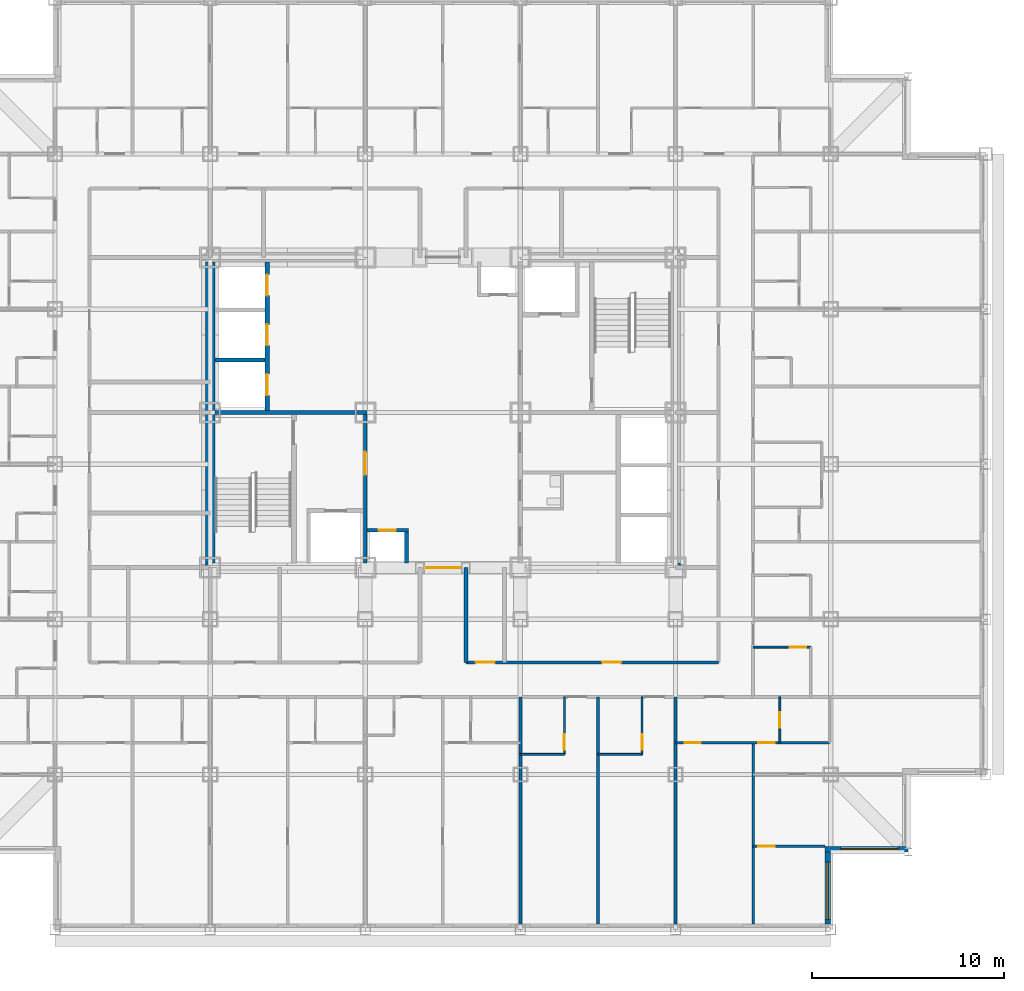
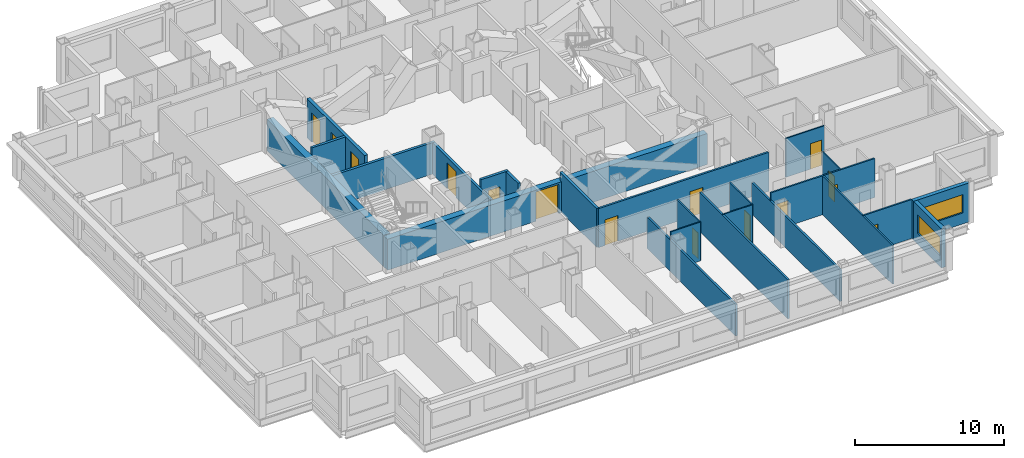
# One storey, part 7 of 14: 24 walls, 15 doors, 2 windows, 17 openings.
"""IFC4 building model written with IfcOpenShell, lengths in metres."""

from ifc_helpers import new_model, si_unit, direction, frame, frame_2d, origin, place, context, subcontext, project, spatial, rectangle, extrude, material, layer, layer_set, type_object, element, fill, save


model = new_model("IFC4")

# Units and contexts
model_context = context("Model", 3, precision=1e-05, world=origin(), true_north=direction((0.0, 1.0)))
body_context = subcontext(model_context, "Body", "Model", "MODEL_VIEW")
ifc_project = project(units=[si_unit("LENGTHUNIT", "METRE"), si_unit("AREAUNIT", "SQUARE_METRE"), si_unit("VOLUMEUNIT", "CUBIC_METRE"), si_unit("PLANEANGLEUNIT", "RADIAN"), si_unit("MASSUNIT", "GRAM", prefix="KILO")], contexts=[model_context])

# Site, building, storey
site_placement = place(None, origin())
site = spatial("IfcSite", under=ifc_project, at=site_placement, CompositionType="ELEMENT")
building_placement = place(site_placement, origin())
building = spatial("IfcBuilding", under=site, at=building_placement, Name="Kopane Lantern Tower", CompositionType="ELEMENT")
storey_placement = place(building_placement, frame((0.0, 0.0, 137.39990234375)))
storey = spatial("IfcBuildingStorey", under=building, at=storey_placement, Name="L35", CompositionType="ELEMENT", Elevation=137.39990234375)

# Wall, openings, doors
ifc_material_1 = material(Name="Gypsum board on steel studs", Category="steel")
ifc_layer_1 = layer(ifc_material_1, 0.1201171875)
ifc_layer_set_1 = layer_set([ifc_layer_1], Name="APARTMENT INTERNAL WALL 120")
wall_type_1 = type_object("IfcWallType", Name="APARTMENT INTERNAL WALL 120", PredefinedType="PARTITIONING", material=ifc_layer_set_1)
wall_1_placement = place(storey_placement, frame((40.5, 15.14990234375, 0.0), z_axis=(0.0, 0.0, 1.0), x_axis=(1.0, 0.0, 0.0)))
wall_1 = element("IfcWall", 1, at=wall_1_placement, inside=storey, type_object=wall_type_1, Name="Apartment Internal Wall 120 L35", PredefinedType="PARTITIONING", context=body_context, shape_type="SweptSolid", body=[
    extrude(rectangle(XDim=8.050048828125, YDim=0.1201171875, at=frame_2d((4.02490234375, 0.0))), origin(), (0.0, 0.0, 1.0), 3.190185546875),
])
opening_1_placement = place(wall_1_placement, frame((0.47509765625, 0.0, 0.0)))
opening_1 = element("IfcOpeningElement", 2, at=opening_1_placement, cuts=wall_1, Name="Opening L35-076", PredefinedType="OPENING", context=body_context, shape_type="SweptSolid", body=[
    extrude(rectangle(XDim=0.85009765625, YDim=2.10009765625, at=frame_2d((0.425048828125, 1.050048828125))), frame((0.0, 0.070068359375, 0.0), z_axis=(0.0, -1.0, 0.0), x_axis=(1.0, 0.0, 0.0)), (0.0, 0.0, 1.0), 0.14013671875),
])
opening_2_placement = place(wall_1_placement, frame((4.324951171875, 0.0, 0.0)))
opening_2 = element("IfcOpeningElement", 3, at=opening_2_placement, cuts=wall_1, Name="Opening L35-078", PredefinedType="OPENING", context=body_context, shape_type="SweptSolid", body=[
    extrude(rectangle(XDim=0.85009765625, YDim=2.10009765625, at=frame_2d((0.425048828125, 1.050048828125))), frame((0.0, 0.070068359375, 0.0), z_axis=(0.0, -1.0, 0.0), x_axis=(1.0, 0.0, 0.0)), (0.0, 0.0, 1.0), 0.14013671875),
])
ifc_material_2 = material(Name="Timber door set", Category="wood")
door_type_1 = type_object("IfcDoorType", Name="DOOR D4 850x2100", OperationType="SINGLE_SWING_LEFT", PredefinedType="DOOR", material=ifc_material_2)
door_1_placement = place(opening_1_placement, origin())
door_1 = element("IfcDoor", 4, at=door_1_placement, inside=storey, type_object=door_type_1, Name="Door L35-076", OperationType="SINGLE_SWING_LEFT", OverallHeight=2.10009765625, OverallWidth=0.85009765625, PredefinedType="DOOR", context=body_context, shape_type="SweptSolid", body=[
    extrude(rectangle(XDim=0.85009765625, YDim=2.10009765625, at=frame_2d((0.425048828125, 1.050048828125))), frame((0.0, 0.02490234375, 0.0), z_axis=(0.0, -1.0, 0.0), x_axis=(1.0, 0.0, 0.0)), (0.0, 0.0, 1.0), 0.050048828125),
])
fill(opening_1, door_1)
door_2_placement = place(opening_2_placement, origin())
door_2 = element("IfcDoor", 5, at=door_2_placement, inside=storey, type_object=door_type_1, Name="Door L35-078", OperationType="SINGLE_SWING_RIGHT", OverallHeight=2.10009765625, OverallWidth=0.85009765625, PredefinedType="DOOR", context=body_context, shape_type="SweptSolid", body=[
    extrude(rectangle(XDim=0.85009765625, YDim=2.10009765625, at=frame_2d((0.425048828125, 1.050048828125))), frame((0.0, 0.02490234375, 0.0), z_axis=(0.0, -1.0, 0.0), x_axis=(1.0, 0.0, 0.0)), (0.0, 0.0, 1.0), 0.050048828125),
])
fill(opening_2, door_2)

# Wall
wall_2_placement = place(storey_placement, frame((44.550048828125, 15.14990234375, 0.0), z_axis=(0.0, 0.0, 1.0), x_axis=(0.0, -1.0, 0.0)))
element("IfcWall", 6, at=wall_2_placement, inside=storey, type_object=wall_type_1, Name="Apartment Internal Wall 120 L35", PredefinedType="PARTITIONING", context=body_context, shape_type="SweptSolid", body=[
    extrude(rectangle(XDim=9.449951171875, YDim=0.1201171875, at=frame_2d((4.72509765625, 0.0))), origin(), (0.0, 0.0, 1.0), 3.190185546875),
])

# Wall, opening, door
wall_3_placement = place(storey_placement, frame((44.550048828125, 9.75, 0.0), z_axis=(0.0, 0.0, 1.0), x_axis=(1.0, 0.0, 0.0)))
wall_3 = element("IfcWall", 7, at=wall_3_placement, inside=storey, type_object=wall_type_1, Name="Apartment Internal Wall 120 L35", PredefinedType="PARTITIONING", context=body_context, shape_type="SweptSolid", body=[
    extrude(rectangle(XDim=3.75, YDim=0.1201171875, at=frame_2d((1.875, 0.0))), origin(), (0.0, 0.0, 1.0), 3.190185546875),
])
opening_3_placement = place(wall_3_placement, frame((0.27490234375, 0.0, 0.0)))
opening_3 = element("IfcOpeningElement", 8, at=opening_3_placement, cuts=wall_3, Name="Opening L35-098", PredefinedType="OPENING", context=body_context, shape_type="SweptSolid", body=[
    extrude(rectangle(XDim=0.85009765625, YDim=2.10009765625, at=frame_2d((0.425048828125, 1.050048828125))), frame((0.0, 0.070068359375, 0.0), z_axis=(0.0, -1.0, 0.0), x_axis=(1.0, 0.0, 0.0)), (0.0, 0.0, 1.0), 0.14013671875),
])
door_3_placement = place(opening_3_placement, origin())
door_3 = element("IfcDoor", 9, at=door_3_placement, inside=storey, type_object=door_type_1, Name="Door L35-098", OperationType="SINGLE_SWING_RIGHT", OverallHeight=2.10009765625, OverallWidth=0.85009765625, PredefinedType="DOOR", context=body_context, shape_type="SweptSolid", body=[
    extrude(rectangle(XDim=0.85009765625, YDim=2.10009765625, at=frame_2d((0.425048828125, 1.050048828125))), frame((0.0, 0.02490234375, 0.0), z_axis=(0.0, -1.0, 0.0), x_axis=(1.0, 0.0, 0.0)), (0.0, 0.0, 1.0), 0.050048828125),
])
fill(opening_3, door_3)

# Wall
ifc_material_3 = material(Name="Moisture-resistant board on steel studs", Category="steel")
ifc_layer_2 = layer(ifc_material_3, 0.10009765625)
ifc_layer_set_2 = layer_set([ifc_layer_2], Name="BATHROOM WALL 100")
wall_type_2 = type_object("IfcWallType", Name="BATHROOM WALL 100", PredefinedType="PARTITIONING", material=ifc_layer_set_2)
wall_4_placement = place(storey_placement, frame((32.39990234375, 14.550048828125, 0.0), z_axis=(0.0, 0.0, 1.0), x_axis=(1.0, 0.0, 0.0)))
element("IfcWall", 10, at=wall_4_placement, inside=storey, type_object=wall_type_2, Name="Bathroom Wall 100 L35", PredefinedType="PARTITIONING", context=body_context, shape_type="SweptSolid", body=[
    extrude(rectangle(XDim=2.300048828125, YDim=0.10009765625, at=frame_2d((1.14990234375, 0.0))), origin(), (0.0, 0.0, 1.0), 3.190185546875),
])

# Wall, opening, door
wall_5_placement = place(storey_placement, frame((34.699951171875, 17.550048828125, 0.0), z_axis=(0.0, 0.0, 1.0), x_axis=(0.0, -1.0, 0.0)))
wall_5 = element("IfcWall", 11, at=wall_5_placement, inside=storey, type_object=wall_type_2, Name="Bathroom Wall 100 L35", PredefinedType="PARTITIONING", context=body_context, shape_type="SweptSolid", body=[
    extrude(rectangle(XDim=3.0, YDim=0.10009765625, at=frame_2d((1.5, 0.0))), origin(), (0.0, 0.0, 1.0), 3.190185546875),
])
opening_4_placement = place(wall_5_placement, frame((1.949951171875, 0.0, 0.0)))
opening_4 = element("IfcOpeningElement", 12, at=opening_4_placement, cuts=wall_5, Name="Opening L35-027", PredefinedType="OPENING", context=body_context, shape_type="SweptSolid", body=[
    extrude(rectangle(XDim=0.800048828125, YDim=2.10009765625, at=frame_2d((0.39990234375, 1.050048828125))), frame((0.0, 0.06005859375, 0.0), z_axis=(0.0, -1.0, 0.0), x_axis=(1.0, 0.0, 0.0)), (0.0, 0.0, 1.0), 0.1201171875),
])
ifc_material_4 = material(Name="Timber door set", Category="wood")
door_type_2 = type_object("IfcDoorType", Name="DOOR D2 800x2100", OperationType="SINGLE_SWING_LEFT", PredefinedType="DOOR", material=ifc_material_4)
door_4_placement = place(opening_4_placement, origin())
door_4 = element("IfcDoor", 13, at=door_4_placement, inside=storey, type_object=door_type_2, Name="Door L35-027", OperationType="SINGLE_SWING_LEFT", OverallHeight=2.10009765625, OverallWidth=0.800048828125, PredefinedType="DOOR", context=body_context, shape_type="SweptSolid", body=[
    extrude(rectangle(XDim=0.800048828125, YDim=2.10009765625, at=frame_2d((0.39990234375, 1.050048828125))), frame((0.0, 0.02490234375, 0.0), z_axis=(0.0, -1.0, 0.0), x_axis=(1.0, 0.0, 0.0)), (0.0, 0.0, 1.0), 0.050048828125),
])
fill(opening_4, door_4)

# Wall
wall_6_placement = place(storey_placement, frame((36.449951171875, 14.550048828125, 0.0), z_axis=(0.0, 0.0, 1.0), x_axis=(1.0, 0.0, 0.0)))
element("IfcWall", 14, at=wall_6_placement, inside=storey, type_object=wall_type_2, Name="Bathroom Wall 100 L35", PredefinedType="PARTITIONING", context=body_context, shape_type="SweptSolid", body=[
    extrude(rectangle(XDim=2.300048828125, YDim=0.10009765625, at=frame_2d((1.14990234375, 0.0))), origin(), (0.0, 0.0, 1.0), 3.190185546875),
])

# Wall, opening, door
wall_7_placement = place(storey_placement, frame((38.75, 17.550048828125, 0.0), z_axis=(0.0, 0.0, 1.0), x_axis=(0.0, -1.0, 0.0)))
wall_7 = element("IfcWall", 15, at=wall_7_placement, inside=storey, type_object=wall_type_2, Name="Bathroom Wall 100 L35", PredefinedType="PARTITIONING", context=body_context, shape_type="SweptSolid", body=[
    extrude(rectangle(XDim=3.0, YDim=0.10009765625, at=frame_2d((1.5, 0.0))), origin(), (0.0, 0.0, 1.0), 3.190185546875),
])
opening_5_placement = place(wall_7_placement, frame((1.949951171875, 0.0, 0.0)))
opening_5 = element("IfcOpeningElement", 16, at=opening_5_placement, cuts=wall_7, Name="Opening L35-029", PredefinedType="OPENING", context=body_context, shape_type="SweptSolid", body=[
    extrude(rectangle(XDim=0.800048828125, YDim=2.10009765625, at=frame_2d((0.39990234375, 1.050048828125))), frame((0.0, 0.06005859375, 0.0), z_axis=(0.0, -1.0, 0.0), x_axis=(1.0, 0.0, 0.0)), (0.0, 0.0, 1.0), 0.1201171875),
])
door_5_placement = place(opening_5_placement, origin())
door_5 = element("IfcDoor", 17, at=door_5_placement, inside=storey, type_object=door_type_2, Name="Door L35-029", OperationType="SINGLE_SWING_LEFT", OverallHeight=2.10009765625, OverallWidth=0.800048828125, PredefinedType="DOOR", context=body_context, shape_type="SweptSolid", body=[
    extrude(rectangle(XDim=0.800048828125, YDim=2.10009765625, at=frame_2d((0.39990234375, 1.050048828125))), frame((0.0, 0.02490234375, 0.0), z_axis=(0.0, -1.0, 0.0), x_axis=(1.0, 0.0, 0.0)), (0.0, 0.0, 1.0), 0.050048828125),
])
fill(opening_5, door_5)

wall_8_placement = place(storey_placement, frame((44.550048828125, 20.14990234375, 0.0), z_axis=(0.0, 0.0, 1.0), x_axis=(1.0, 0.0, 0.0)))
wall_8 = element("IfcWall", 18, at=wall_8_placement, inside=storey, type_object=wall_type_2, Name="Bathroom Wall 100 L35", PredefinedType="PARTITIONING", context=body_context, shape_type="SweptSolid", body=[
    extrude(rectangle(XDim=3.0, YDim=0.10009765625, at=frame_2d((1.5, 0.0))), origin(), (0.0, 0.0, 1.0), 3.190185546875),
])
opening_6_placement = place(wall_8_placement, frame((1.925048828125, 0.0, 0.0)))
opening_6 = element("IfcOpeningElement", 19, at=opening_6_placement, cuts=wall_8, Name="Opening L35-057", PredefinedType="OPENING", context=body_context, shape_type="SweptSolid", body=[
    extrude(rectangle(XDim=0.85009765625, YDim=2.10009765625, at=frame_2d((0.425048828125, 1.050048828125))), frame((0.0, 0.06005859375, 0.0), z_axis=(0.0, -1.0, 0.0), x_axis=(1.0, 0.0, 0.0)), (0.0, 0.0, 1.0), 0.1201171875),
])
door_6_placement = place(opening_6_placement, origin())
door_6 = element("IfcDoor", 20, at=door_6_placement, inside=storey, type_object=door_type_1, Name="Door L35-057", OperationType="SINGLE_SWING_LEFT", OverallHeight=2.10009765625, OverallWidth=0.85009765625, PredefinedType="DOOR", context=body_context, shape_type="SweptSolid", body=[
    extrude(rectangle(XDim=0.85009765625, YDim=2.10009765625, at=frame_2d((0.425048828125, 1.050048828125))), frame((0.0, 0.02490234375, 0.0), z_axis=(0.0, -1.0, 0.0), x_axis=(1.0, 0.0, 0.0)), (0.0, 0.0, 1.0), 0.050048828125),
])
fill(opening_6, door_6)

wall_9_placement = place(storey_placement, frame((45.949951171875, 17.550048828125, 0.0), z_axis=(0.0, 0.0, 1.0), x_axis=(0.0, -1.0, 0.0)))
wall_9 = element("IfcWall", 21, at=wall_9_placement, inside=storey, type_object=wall_type_2, Name="Bathroom Wall 100 L35", PredefinedType="PARTITIONING", context=body_context, shape_type="SweptSolid", body=[
    extrude(rectangle(XDim=2.400146484375, YDim=0.10009765625, at=frame_2d((1.2001953125, 0.0))), origin(), (0.0, 0.0, 1.0), 3.190185546875),
])
opening_7_placement = place(wall_9_placement, frame((0.800048828125, 0.0, 0.0)))
opening_7 = element("IfcOpeningElement", 22, at=opening_7_placement, cuts=wall_9, Name="Opening L35-077", PredefinedType="OPENING", context=body_context, shape_type="SweptSolid", body=[
    extrude(rectangle(XDim=0.800048828125, YDim=2.10009765625, at=frame_2d((0.39990234375, 1.050048828125))), frame((0.0, 0.06005859375, 0.0), z_axis=(0.0, -1.0, 0.0), x_axis=(1.0, 0.0, 0.0)), (0.0, 0.0, 1.0), 0.1201171875),
])
door_7_placement = place(opening_7_placement, origin())
door_7 = element("IfcDoor", 23, at=door_7_placement, inside=storey, type_object=door_type_2, Name="Door L35-077", OperationType="SINGLE_SWING_LEFT", OverallHeight=2.10009765625, OverallWidth=0.800048828125, PredefinedType="DOOR", context=body_context, shape_type="SweptSolid", body=[
    extrude(rectangle(XDim=0.800048828125, YDim=2.10009765625, at=frame_2d((0.39990234375, 1.050048828125))), frame((0.0, 0.02490234375, 0.0), z_axis=(0.0, -1.0, 0.0), x_axis=(1.0, 0.0, 0.0)), (0.0, 0.0, 1.0), 0.050048828125),
])
fill(opening_7, door_7)

ifc_material_5 = material(Name="Gypsum shaft wall EI 120", Category="gypsum")
ifc_layer_3 = layer(ifc_material_5, 0.5)
ifc_layer_set_3 = layer_set([ifc_layer_3], Name="CORE PERIMETER WALL 500 EI 120")
wall_type_3 = type_object("IfcWallType", Name="CORE PERIMETER WALL 500 EI 120", PredefinedType="SOLIDWALL", material=ifc_layer_set_3)
wall_10_placement = place(storey_placement, frame((15.949951171875, 24.300048828125, 0.0), z_axis=(0.0, 0.0, 1.0), x_axis=(1.0, 0.0, 0.0)))
wall_10 = element("IfcWall", 24, at=wall_10_placement, inside=storey, type_object=wall_type_3, Name="Core shaft wall L35 PS", PredefinedType="SOLIDWALL", context=body_context, shape_type="SweptSolid", body=[
    extrude(rectangle(XDim=24.800048828125, YDim=0.5, at=frame_2d((12.39990234375, 0.0))), origin(), (0.0, 0.0, 1.0), 2.5400390625),
])
opening_8_placement = place(wall_10_placement, frame((11.5, 0.0, 0.0)))
opening_8 = element("IfcOpeningElement", 25, at=opening_8_placement, cuts=wall_10, Name="Opening 35.CE-S", PredefinedType="OPENING", context=body_context, shape_type="SweptSolid", body=[
    extrude(rectangle(XDim=1.800048828125, YDim=2.39990234375, at=frame_2d((0.89990234375, 1.199951171875))), frame((0.0, 0.260009765625, 0.0), z_axis=(0.0, -1.0, 0.0), x_axis=(1.0, 0.0, 0.0)), (0.0, 0.0, 1.0), 0.52001953125),
])
ifc_material_6 = material(Name="Steel door set", Category="steel")
door_type_3 = type_object("IfcDoorType", Name="CORE ENTRY DOOR 1800x2400 FD60S", OperationType="DOUBLE_DOOR_SINGLE_SWING", PredefinedType="DOOR", material=ifc_material_6)
door_8_placement = place(opening_8_placement, origin())
door_8 = element("IfcDoor", 26, at=door_8_placement, inside=storey, type_object=door_type_3, Name="Core entry door L35 south", OperationType="DOUBLE_DOOR_SINGLE_SWING", OverallHeight=2.39990234375, OverallWidth=1.800048828125, PredefinedType="DOOR", context=body_context, shape_type="SweptSolid", body=[
    extrude(rectangle(XDim=1.800048828125, YDim=2.39990234375, at=frame_2d((0.89990234375, 1.199951171875))), frame((0.0, 0.02490234375, 0.0), z_axis=(0.0, -1.0, 0.0), x_axis=(1.0, 0.0, 0.0)), (0.0, 0.0, 1.0), 0.050048828125),
])
fill(opening_8, door_8)

# Wall
wall_11_placement = place(storey_placement, frame((16.199951171875, 24.550048828125, 0.0), z_axis=(0.0, 0.0, 1.0), x_axis=(0.0, 1.0, 0.0)))
element("IfcWall", 27, at=wall_11_placement, inside=storey, type_object=wall_type_3, Name="Core shaft wall L35 PW", PredefinedType="SOLIDWALL", context=body_context, shape_type="SweptSolid", body=[
    extrude(rectangle(XDim=15.699951171875, YDim=0.5, at=frame_2d((7.85009765625, 0.0))), origin(), (0.0, 0.0, 1.0), 2.577880859375),
])

# Wall, openings, doors
ifc_material_7 = material(Name="Gypsum shaft wall EI 120", Category="gypsum")
ifc_layer_4 = layer(ifc_material_7, 0.25)
ifc_layer_set_4 = layer_set([ifc_layer_4], Name="CORE SHAFT WALL 250 EI 120")
wall_type_4 = type_object("IfcWallType", Name="CORE SHAFT WALL 250 EI 120", PredefinedType="SOLIDWALL", material=ifc_layer_set_4)
wall_12_placement = place(storey_placement, frame((19.175048828125, 32.5, 0.0), z_axis=(0.0, 0.0, 1.0), x_axis=(0.0, 1.0, 0.0)))
wall_12 = element("IfcWall", 28, at=wall_12_placement, inside=storey, type_object=wall_type_4, Name="Core shaft wall L35 XLH", PredefinedType="SOLIDWALL", context=body_context, shape_type="SweptSolid", body=[
    extrude(rectangle(XDim=7.75, YDim=0.25, at=frame_2d((3.875, 0.0))), origin(), (0.0, 0.0, 1.0), 3.190185546875),
])
opening_9_placement = place(wall_12_placement, frame((0.800048828125, 0.0, 0.0)))
opening_9 = element("IfcOpeningElement", 29, at=opening_9_placement, cuts=wall_12, Name="Opening 35.LD-LH1", PredefinedType="OPENING", context=body_context, shape_type="SweptSolid", body=[
    extrude(rectangle(XDim=1.10009765625, YDim=2.39990234375, at=frame_2d((0.550048828125, 1.199951171875))), frame((0.0, 0.135009765625, 0.0), z_axis=(0.0, -1.0, 0.0), x_axis=(1.0, 0.0, 0.0)), (0.0, 0.0, 1.0), 0.27001953125),
])
opening_10_placement = place(wall_12_placement, frame((3.39990234375, 0.0, 0.0)))
opening_10 = element("IfcOpeningElement", 30, at=opening_10_placement, cuts=wall_12, Name="Opening 35.LD-LH2", PredefinedType="OPENING", context=body_context, shape_type="SweptSolid", body=[
    extrude(rectangle(XDim=1.10009765625, YDim=2.39990234375, at=frame_2d((0.550048828125, 1.199951171875))), frame((0.0, 0.135009765625, 0.0), z_axis=(0.0, -1.0, 0.0), x_axis=(1.0, 0.0, 0.0)), (0.0, 0.0, 1.0), 0.27001953125),
])
opening_11_placement = place(wall_12_placement, frame((6.0, 0.0, 0.0)))
opening_11 = element("IfcOpeningElement", 31, at=opening_11_placement, cuts=wall_12, Name="Opening 35.LD-LH3", PredefinedType="OPENING", context=body_context, shape_type="SweptSolid", body=[
    extrude(rectangle(XDim=1.10009765625, YDim=2.39990234375, at=frame_2d((0.550048828125, 1.199951171875))), frame((0.0, 0.135009765625, 0.0), z_axis=(0.0, -1.0, 0.0), x_axis=(1.0, 0.0, 0.0)), (0.0, 0.0, 1.0), 0.27001953125),
])
ifc_material_8 = material(Name="Steel door set", Category="steel")
door_type_4 = type_object("IfcDoorType", Name="LIFT LANDING DOOR 1100x2400 FD60", OperationType="DOUBLE_DOOR_SLIDING", PredefinedType="DOOR", material=ifc_material_8)
door_9_placement = place(opening_9_placement, origin())
door_9 = element("IfcDoor", 32, at=door_9_placement, inside=storey, type_object=door_type_4, Name="Landing door LH1 L35", OperationType="DOUBLE_DOOR_SLIDING", OverallHeight=2.39990234375, OverallWidth=1.10009765625, PredefinedType="DOOR", context=body_context, shape_type="SweptSolid", body=[
    extrude(rectangle(XDim=1.10009765625, YDim=2.39990234375, at=frame_2d((0.550048828125, 1.199951171875))), frame((0.0, 0.02490234375, 0.0), z_axis=(0.0, -1.0, 0.0), x_axis=(1.0, 0.0, 0.0)), (0.0, 0.0, 1.0), 0.050048828125),
])
fill(opening_9, door_9)
door_10_placement = place(opening_10_placement, origin())
door_10 = element("IfcDoor", 33, at=door_10_placement, inside=storey, type_object=door_type_4, Name="Landing door LH2 L35", OperationType="DOUBLE_DOOR_SLIDING", OverallHeight=2.39990234375, OverallWidth=1.10009765625, PredefinedType="DOOR", context=body_context, shape_type="SweptSolid", body=[
    extrude(rectangle(XDim=1.10009765625, YDim=2.39990234375, at=frame_2d((0.550048828125, 1.199951171875))), frame((0.0, 0.02490234375, 0.0), z_axis=(0.0, -1.0, 0.0), x_axis=(1.0, 0.0, 0.0)), (0.0, 0.0, 1.0), 0.050048828125),
])
fill(opening_10, door_10)
door_11_placement = place(opening_11_placement, origin())
door_11 = element("IfcDoor", 34, at=door_11_placement, inside=storey, type_object=door_type_4, Name="Landing door LH3 L35", OperationType="DOUBLE_DOOR_SLIDING", OverallHeight=2.39990234375, OverallWidth=1.10009765625, PredefinedType="DOOR", context=body_context, shape_type="SweptSolid", body=[
    extrude(rectangle(XDim=1.10009765625, YDim=2.39990234375, at=frame_2d((0.550048828125, 1.199951171875))), frame((0.0, 0.02490234375, 0.0), z_axis=(0.0, -1.0, 0.0), x_axis=(1.0, 0.0, 0.0)), (0.0, 0.0, 1.0), 0.050048828125),
])
fill(opening_11, door_11)

ifc_material_9 = material(Name="Gypsum board on steel studs", Category="steel")
ifc_layer_5 = layer(ifc_material_9, 0.14990234375)
ifc_layer_set_5 = layer_set([ifc_layer_5], Name="CORRIDOR WALL 150 EI 60")
wall_type_5 = type_object("IfcWallType", Name="CORRIDOR WALL 150 EI 60", PredefinedType="PARTITIONING", material=ifc_layer_set_5)
wall_13_placement = place(storey_placement, frame((29.56005859375, 19.35009765625, 0.0), z_axis=(0.0, 0.0, 1.0), x_axis=(1.0, 0.0, 0.0)))
wall_13 = element("IfcWall", 35, at=wall_13_placement, inside=storey, type_object=wall_type_5, Name="Corridor Wall 150 Ei 60 L35", PredefinedType="PARTITIONING", context=body_context, shape_type="SweptSolid", body=[
    extrude(rectangle(XDim=13.18994140625, YDim=0.14990234375, at=frame_2d((6.594970703125, 0.0))), origin(), (0.0, 0.0, 1.0), 3.190185546875),
])
opening_12_placement = place(wall_13_placement, frame((0.5, 0.0, 0.0)))
opening_12 = element("IfcOpeningElement", 36, at=opening_12_placement, cuts=wall_13, Name="Opening L35-011", PredefinedType="OPENING", context=body_context, shape_type="SweptSolid", body=[
    extrude(rectangle(XDim=1.0, YDim=2.10009765625, at=frame_2d((0.5, 1.050048828125))), frame((0.0, 0.0849609375, 0.0), z_axis=(0.0, -1.0, 0.0), x_axis=(1.0, 0.0, 0.0)), (0.0, 0.0, 1.0), 0.169921875),
])
opening_13_placement = place(wall_13_placement, frame((7.10009765625, 0.0, 0.0)))
opening_13 = element("IfcOpeningElement", 37, at=opening_13_placement, cuts=wall_13, Name="Opening L35-012", PredefinedType="OPENING", context=body_context, shape_type="SweptSolid", body=[
    extrude(rectangle(XDim=1.0, YDim=2.10009765625, at=frame_2d((0.5, 1.050048828125))), frame((0.0, 0.0849609375, 0.0), z_axis=(0.0, -1.0, 0.0), x_axis=(1.0, 0.0, 0.0)), (0.0, 0.0, 1.0), 0.169921875),
])
ifc_material_10 = material(Name="Steel door set", Category="steel")
door_type_5 = type_object("IfcDoorType", Name="DOOR D5 1000x2100 FD60", OperationType="SINGLE_SWING_LEFT", PredefinedType="DOOR", material=ifc_material_10)
door_12_placement = place(opening_12_placement, origin())
door_12 = element("IfcDoor", 38, at=door_12_placement, inside=storey, type_object=door_type_5, Name="Door L35-011", OperationType="SINGLE_SWING_LEFT", OverallHeight=2.10009765625, OverallWidth=1.0, PredefinedType="DOOR", context=body_context, shape_type="SweptSolid", body=[
    extrude(rectangle(XDim=1.0, YDim=2.10009765625, at=frame_2d((0.5, 1.050048828125))), frame((0.0, 0.02490234375, 0.0), z_axis=(0.0, -1.0, 0.0), x_axis=(1.0, 0.0, 0.0)), (0.0, 0.0, 1.0), 0.050048828125),
])
fill(opening_12, door_12)
door_13_placement = place(opening_13_placement, origin())
door_13 = element("IfcDoor", 39, at=door_13_placement, inside=storey, type_object=door_type_5, Name="Door L35-012", OperationType="SINGLE_SWING_RIGHT", OverallHeight=2.10009765625, OverallWidth=1.0, PredefinedType="DOOR", context=body_context, shape_type="SweptSolid", body=[
    extrude(rectangle(XDim=1.0, YDim=2.10009765625, at=frame_2d((0.5, 1.050048828125))), frame((0.0, 0.02490234375, 0.0), z_axis=(0.0, -1.0, 0.0), x_axis=(1.0, 0.0, 0.0)), (0.0, 0.0, 1.0), 0.050048828125),
])
fill(opening_13, door_13)

# Walls
ifc_material_11 = material(Name="Gypsum board on steel studs", Category="steel")
ifc_layer_6 = layer(ifc_material_11, 0.14990234375)
ifc_layer_set_6 = layer_set([ifc_layer_6], Name="DEMISING WALL 150 EI 60")
wall_type_6 = type_object("IfcWallType", Name="DEMISING WALL 150 EI 60", PredefinedType="PARTITIONING", material=ifc_layer_set_6)
wall_14_placement = place(storey_placement, frame((32.39990234375, 17.550048828125, 0.0), z_axis=(0.0, 0.0, 1.0), x_axis=(0.0, -1.0, 0.0)))
element("IfcWall", 40, at=wall_14_placement, inside=storey, type_object=wall_type_6, Name="Demising Wall 150 Ei 60 L35", PredefinedType="PARTITIONING", context=body_context, shape_type="SweptSolid", body=[
    extrude(rectangle(XDim=11.85009765625, YDim=0.14990234375, at=frame_2d((5.925048828125, 0.0))), origin(), (0.0, 0.0, 1.0), 2.577880859375),
])
wall_15_placement = place(storey_placement, frame((36.449951171875, 17.550048828125, 0.0), z_axis=(0.0, 0.0, 1.0), x_axis=(0.0, -1.0, 0.0)))
element("IfcWall", 41, at=wall_15_placement, inside=storey, type_object=wall_type_6, Name="Demising Wall 150 Ei 60 L35", PredefinedType="PARTITIONING", context=body_context, shape_type="SweptSolid", body=[
    extrude(rectangle(XDim=11.85009765625, YDim=0.14990234375, at=frame_2d((5.925048828125, 0.0))), origin(), (0.0, 0.0, 1.0), 3.190185546875),
])
wall_16_placement = place(storey_placement, frame((40.5, 17.550048828125, 0.0), z_axis=(0.0, 0.0, 1.0), x_axis=(0.0, -1.0, 0.0)))
element("IfcWall", 42, at=wall_16_placement, inside=storey, type_object=wall_type_6, Name="Demising Wall 150 Ei 60 L35", PredefinedType="PARTITIONING", context=body_context, shape_type="SweptSolid", body=[
    extrude(rectangle(XDim=11.85009765625, YDim=0.14990234375, at=frame_2d((5.925048828125, 0.0))), origin(), (0.0, 0.0, 1.0), 2.577880859375),
])

# Wall, opening, window
ifc_material_12 = material(Name="Terracotta rainscreen on light steel framing", Category="masonry")
ifc_layer_7 = layer(ifc_material_12, 0.300048828125)
ifc_layer_set_7 = layer_set([ifc_layer_7], Name="EXTERNAL WALL EW1 300 TERRACOTTA")
wall_type_7 = type_object("IfcWallType", Name="EXTERNAL WALL EW1 300 TERRACOTTA", PredefinedType="SOLIDWALL", material=ifc_layer_set_7)
wall_17_placement = place(storey_placement, frame((48.449951171875, 5.699951171875, 0.0), z_axis=(0.0, 0.0, 1.0), x_axis=(0.0, 1.0, 0.0)))
wall_17 = element("IfcWall", 43, at=wall_17_placement, inside=storey, type_object=wall_type_7, Name="External wall E L35", PredefinedType="SOLIDWALL", context=body_context, shape_type="SweptSolid", body=[
    extrude(rectangle(XDim=3.75, YDim=0.300048828125, at=frame_2d((1.875, 0.0))), origin(), (0.0, 0.0, 1.0), 3.190185546875),
])
opening_14_placement = place(wall_17_placement, frame((0.22509765625, 0.0, 0.89990234375)))
opening_14 = element("IfcOpeningElement", 44, at=opening_14_placement, cuts=wall_17, Name="Opening WR300150", PredefinedType="OPENING", context=body_context, shape_type="SweptSolid", body=[
    extrude(rectangle(XDim=3.0, YDim=1.5, at=frame_2d((1.5, 0.75))), frame((0.0, 0.159912109375, 0.0), z_axis=(0.0, -1.0, 0.0), x_axis=(1.0, 0.0, 0.0)), (0.0, 0.0, 1.0), 0.320068359375),
])
ifc_material_13 = material(Name="Aluminium and clear glass", Category="aluminium")
window_type = type_object("IfcWindowType", Name="RIBBON WINDOW WR300150 3000x1500", PartitioningType="SINGLE_PANEL", PredefinedType="WINDOW", material=ifc_material_13)
window_1_placement = place(opening_14_placement, origin())
window_1 = element("IfcWindow", 45, at=window_1_placement, inside=storey, type_object=window_type, Name="Window E L35", OverallHeight=1.5, OverallWidth=3.0, PartitioningType="SINGLE_PANEL", PredefinedType="WINDOW", context=body_context, shape_type="SweptSolid", body=[
    extrude(rectangle(XDim=3.0, YDim=1.5, at=frame_2d((1.5, 0.75))), frame((0.0, 0.030029296875, 0.0), z_axis=(0.0, -1.0, 0.0), x_axis=(1.0, 0.0, 0.0)), (0.0, 0.0, 1.0), 0.06005859375),
])
fill(opening_14, window_1)

wall_18_placement = place(storey_placement, frame((48.300048828125, 9.60009765625, 0.0), z_axis=(0.0, 0.0, 1.0), x_axis=(1.0, 0.0, 0.0)))
wall_18 = element("IfcWall", 46, at=wall_18_placement, inside=storey, type_object=wall_type_7, Name="External wall S L35", PredefinedType="SOLIDWALL", context=body_context, shape_type="SweptSolid", body=[
    extrude(rectangle(XDim=4.349853515625, YDim=0.300048828125, at=frame_2d((2.1748046875, 0.0))), origin(), (0.0, 0.0, 1.0), 3.190185546875),
])
opening_15_placement = place(wall_18_placement, frame((0.824951171875, 0.0, 0.89990234375)))
opening_15 = element("IfcOpeningElement", 47, at=opening_15_placement, cuts=wall_18, Name="Opening WR300150", PredefinedType="OPENING", context=body_context, shape_type="SweptSolid", body=[
    extrude(rectangle(XDim=3.0, YDim=1.5, at=frame_2d((1.5, 0.75))), frame((0.0, 0.159912109375, 0.0), z_axis=(0.0, -1.0, 0.0), x_axis=(1.0, 0.0, 0.0)), (0.0, 0.0, 1.0), 0.320068359375),
])
window_2_placement = place(opening_15_placement, origin())
window_2 = element("IfcWindow", 48, at=window_2_placement, inside=storey, type_object=window_type, Name="Window S L35", OverallHeight=1.5, OverallWidth=3.0, PartitioningType="SINGLE_PANEL", PredefinedType="WINDOW", context=body_context, shape_type="SweptSolid", body=[
    extrude(rectangle(XDim=3.0, YDim=1.5, at=frame_2d((1.5, 0.75))), frame((0.0, 0.030029296875, 0.0), z_axis=(0.0, -1.0, 0.0), x_axis=(1.0, 0.0, 0.0)), (0.0, 0.0, 1.0), 0.06005859375),
])
fill(opening_15, window_2)

# Walls
ifc_material_14 = material(Name="Concrete masonry", Category="masonry")
ifc_layer_8 = layer(ifc_material_14, 0.199951171875)
ifc_layer_set_8 = layer_set([ifc_layer_8], Name="PLANT ROOM WALL 200 EI 120")
wall_type_8 = type_object("IfcWallType", Name="PLANT ROOM WALL 200 EI 120", PredefinedType="SOLIDWALL", material=ifc_layer_set_8)
wall_19_placement = place(storey_placement, frame((29.550048828125, 19.35009765625, 0.0), z_axis=(0.0, 0.0, 1.0), x_axis=(0.0, 1.0, 0.0)))
element("IfcWall", 49, at=wall_19_placement, inside=storey, type_object=wall_type_8, Name="Plant Room Wall 200 Ei 120 L35", PredefinedType="SOLIDWALL", context=body_context, shape_type="SweptSolid", body=[
    extrude(rectangle(XDim=4.949951171875, YDim=0.199951171875, at=frame_2d((2.47509765625, 0.0))), origin(), (0.0, 0.0, 1.0), 3.190185546875),
])
ifc_material_15 = material(Name="Gypsum shaft wall EI 120", Category="gypsum")
ifc_layer_9 = layer(ifc_material_15, 0.199951171875)
ifc_layer_set_9 = layer_set([ifc_layer_9], Name="SHAFT WALL 200 EI 120")
wall_type_9 = type_object("IfcWallType", Name="SHAFT WALL 200 EI 120", PredefinedType="SOLIDWALL", material=ifc_layer_set_9)
wall_20_placement = place(storey_placement, frame((16.449951171875, 32.39990234375, 0.0), z_axis=(0.0, 0.0, 1.0), x_axis=(1.0, 0.0, 0.0)))
element("IfcWall", 50, at=wall_20_placement, inside=storey, type_object=wall_type_9, Name="Core shaft wall L35 Y324W", PredefinedType="SOLIDWALL", context=body_context, shape_type="SweptSolid", body=[
    extrude(rectangle(XDim=7.949951171875, YDim=0.199951171875, at=frame_2d((3.97509765625, 0.0))), origin(), (0.0, 0.0, 1.0), 2.577880859375),
])

# Wall, opening, door
wall_21_placement = place(storey_placement, frame((24.300048828125, 24.550048828125, 0.0), z_axis=(0.0, 0.0, 1.0), x_axis=(0.0, 1.0, 0.0)))
wall_21 = element("IfcWall", 51, at=wall_21_placement, inside=storey, type_object=wall_type_9, Name="Core shaft wall L35 X243", PredefinedType="SOLIDWALL", context=body_context, shape_type="SweptSolid", body=[
    extrude(rectangle(XDim=7.75, YDim=0.199951171875, at=frame_2d((3.875, 0.0))), origin(), (0.0, 0.0, 1.0), 2.577880859375),
])
opening_16_placement = place(wall_21_placement, frame((4.60009765625, 0.0, 0.0)))
opening_16 = element("IfcOpeningElement", 52, at=opening_16_placement, cuts=wall_21, Name="Opening 35.FL1", PredefinedType="OPENING", context=body_context, shape_type="SweptSolid", body=[
    extrude(rectangle(XDim=1.199951171875, YDim=2.10009765625, at=frame_2d((0.60009765625, 1.050048828125))), frame((0.0, 0.10986328125, 0.0), z_axis=(0.0, -1.0, 0.0), x_axis=(1.0, 0.0, 0.0)), (0.0, 0.0, 1.0), 0.219970703125),
])
ifc_material_16 = material(Name="Steel door set", Category="steel")
door_type_6 = type_object("IfcDoorType", Name="FIREFIGHTING LOBBY DOOR 1200x2100 FD60S", OperationType="SINGLE_SWING_RIGHT", PredefinedType="DOOR", material=ifc_material_16)
door_14_placement = place(opening_16_placement, origin())
door_14 = element("IfcDoor", 53, at=door_14_placement, inside=storey, type_object=door_type_6, Name="Firefighting lobby door FL1 L35", OperationType="SINGLE_SWING_LEFT", OverallHeight=2.10009765625, OverallWidth=1.199951171875, PredefinedType="DOOR", context=body_context, shape_type="SweptSolid", body=[
    extrude(rectangle(XDim=1.199951171875, YDim=2.10009765625, at=frame_2d((0.60009765625, 1.050048828125))), frame((0.0, 0.02490234375, 0.0), z_axis=(0.0, -1.0, 0.0), x_axis=(1.0, 0.0, 0.0)), (0.0, 0.0, 1.0), 0.050048828125),
])
fill(opening_16, door_14)

# Walls
wall_22_placement = place(storey_placement, frame((16.449951171875, 35.14990234375, 0.0), z_axis=(0.0, 0.0, 1.0), x_axis=(1.0, 0.0, 0.0)))
element("IfcWall", 54, at=wall_22_placement, inside=storey, type_object=wall_type_9, Name="Core shaft wall L35 YLH12", PredefinedType="SOLIDWALL", context=body_context, shape_type="SweptSolid", body=[
    extrude(rectangle(XDim=2.60009765625, YDim=0.199951171875, at=frame_2d((1.300048828125, 0.0))), origin(), (0.0, 0.0, 1.0), 3.190185546875),
])
wall_23_placement = place(storey_placement, frame((26.449951171875, 24.550048828125, 0.0), z_axis=(0.0, 0.0, 1.0), x_axis=(0.0, 1.0, 0.0)))
element("IfcWall", 55, at=wall_23_placement, inside=storey, type_object=wall_type_9, Name="Core shaft wall L35 XRS1", PredefinedType="SOLIDWALL", context=body_context, shape_type="SweptSolid", body=[
    extrude(rectangle(XDim=1.599853515625, YDim=0.199951171875, at=frame_2d((0.7998046875, 0.0))), origin(), (0.0, 0.0, 1.0), 3.190185546875),
])

# Wall, opening, door
wall_24_placement = place(storey_placement, frame((24.39990234375, 26.25, 0.0), z_axis=(0.0, 0.0, 1.0), x_axis=(1.0, 0.0, 0.0)))
wall_24 = element("IfcWall", 56, at=wall_24_placement, inside=storey, type_object=wall_type_9, Name="Core shaft wall L35 YRS1", PredefinedType="SOLIDWALL", context=body_context, shape_type="SweptSolid", body=[
    extrude(rectangle(XDim=2.150146484375, YDim=0.199951171875, at=frame_2d((1.0751953125, 0.0))), origin(), (0.0, 0.0, 1.0), 3.190185546875),
])
opening_17_placement = place(wall_24_placement, frame((0.60009765625, 0.0, 0.0)))
opening_17 = element("IfcOpeningElement", 57, at=opening_17_placement, cuts=wall_24, Name="Opening 35.RS1", PredefinedType="OPENING", context=body_context, shape_type="SweptSolid", body=[
    extrude(rectangle(XDim=0.89990234375, YDim=2.10009765625, at=frame_2d((0.449951171875, 1.050048828125))), frame((0.0, 0.10986328125, 0.0), z_axis=(0.0, -1.0, 0.0), x_axis=(1.0, 0.0, 0.0)), (0.0, 0.0, 1.0), 0.219970703125),
])
ifc_material_17 = material(Name="Steel door set", Category="steel")
door_type_7 = type_object("IfcDoorType", Name="RISER ACCESS DOOR 900x2100 FD60", OperationType="SINGLE_SWING_LEFT", PredefinedType="DOOR", material=ifc_material_17)
door_15_placement = place(opening_17_placement, origin())
door_15 = element("IfcDoor", 58, at=door_15_placement, inside=storey, type_object=door_type_7, Name="Riser access door RS1 L35", OperationType="SINGLE_SWING_LEFT", OverallHeight=2.10009765625, OverallWidth=0.89990234375, PredefinedType="DOOR", context=body_context, shape_type="SweptSolid", body=[
    extrude(rectangle(XDim=0.89990234375, YDim=2.10009765625, at=frame_2d((0.449951171875, 1.050048828125))), frame((0.0, 0.02490234375, 0.0), z_axis=(0.0, -1.0, 0.0), x_axis=(1.0, 0.0, 0.0)), (0.0, 0.0, 1.0), 0.050048828125),
])
fill(opening_17, door_15)

save(model, "model.ifc")
